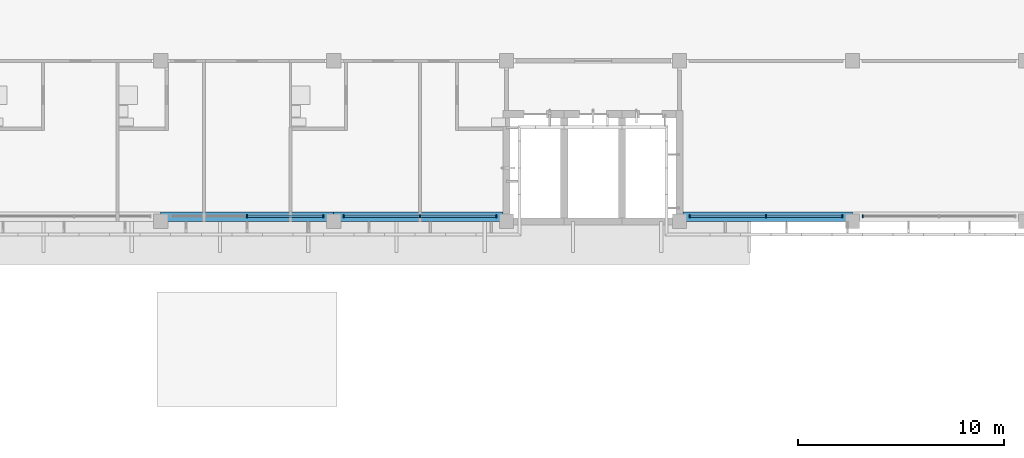
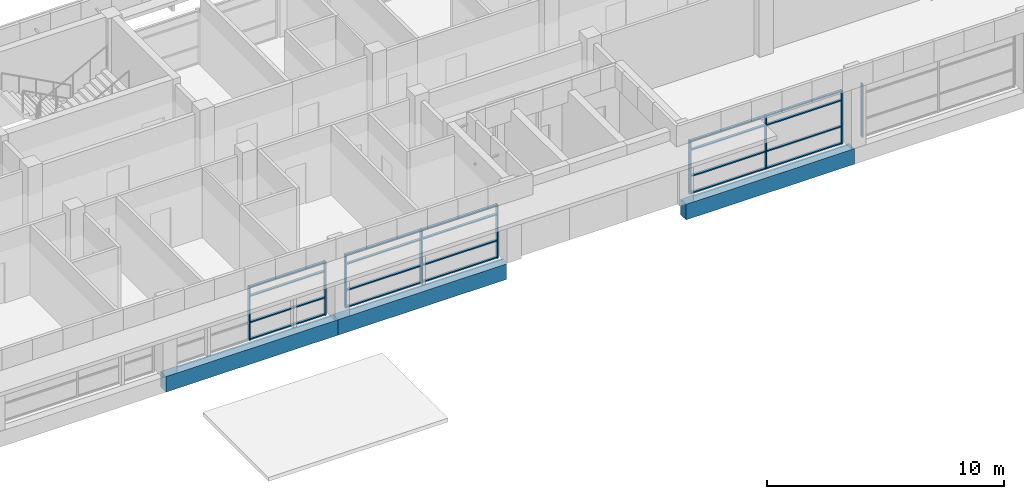
# One storey, part 7 of 36: 29 members, 3 beams, 4 elements without a shape of their own.
"""IFC4 building model written with IfcOpenShell, lengths in metres."""

import ifcopenshell
import ifcopenshell.guid

model = None  # the IFC model being written
_history = None  # IfcOwnerHistory: only IFC2X3 demands one
_inside = {}  # id of a spatial element -> (the spatial element, [elements in it])
_under = {}  # id of a project, library or spatial element -> (it, [spatial elements below it])
_declared = {}  # id of a project -> (the project, [libraries it declares])
_typed = {}  # id of a type object -> (the type object, [elements of that type])
_made_of = {}  # id of a material, layer set ... -> (it, [elements and type objects made of it])


def new_model(schema):
    """Start an empty IFC model of exactly this schema.

    Asked for "IFC4X3", IfcOpenShell would pick the latest addendum, in which some entities
    have other attributes; the version numbers below select the first issue.
    IFC2X3 requires an IfcOwnerHistory on every rooted entity: one is made here for all.
    """
    global model, _history
    if schema == "IFC4X3":
        model = ifcopenshell.file(schema_version=(4, 3, 0, 0))
    else:
        model = ifcopenshell.file(schema=schema)
    _inside.clear()
    _under.clear()
    _declared.clear()
    _typed.clear()
    _made_of.clear()
    _history = None
    if model.schema == "IFC2X3":
        org = make("IfcOrganization", Name="unknown")
        user = make(
            "IfcPersonAndOrganization",
            ThePerson=make("IfcPerson", FamilyName="unknown"),
            TheOrganization=org,
        )
        app = make(
            "IfcApplication",
            ApplicationDeveloper=org,
            Version="unknown",
            ApplicationFullName="unknown",
            ApplicationIdentifier="unknown",
        )
        _history = make(
            "IfcOwnerHistory",
            OwningUser=user,
            OwningApplication=app,
            ChangeAction="ADDED",
            CreationDate=0,
        )
    return model


def make(cls, **values):
    """One entity of the class cls with the attributes given. An attribute that is None is left unset."""
    return model.create_entity(
        cls, **{name: value for name, value in values.items() if value is not None}
    )


def rooted(cls, **values):
    """An entity with a GlobalId (a new one), such as an element, a storey or a relation."""
    return make(cls, GlobalId=ifcopenshell.guid.new(), OwnerHistory=_history, **values)


def si_unit(unit_type, name, prefix=None):
    """IfcSIUnit, for example si_unit("LENGTHUNIT", "METRE", prefix="MILLI")."""
    return make("IfcSIUnit", UnitType=unit_type, Prefix=prefix, Name=name)


def assignment(units):
    """IfcUnitAssignment: the units of a project."""
    return None if units is None else make("IfcUnitAssignment", Units=units)


def point(xyz):
    """IfcCartesianPoint."""
    return None if xyz is None else make("IfcCartesianPoint", Coordinates=xyz)


def direction(xyz):
    """IfcDirection."""
    return None if xyz is None else make("IfcDirection", DirectionRatios=xyz)


def frame(location, z_axis=None, x_axis=None):
    """IfcAxis2Placement3D, a coordinate frame: its origin and axes. An axis left out is left unset."""
    return make(
        "IfcAxis2Placement3D",
        Location=point(location),
        Axis=direction(z_axis),
        RefDirection=direction(x_axis),
    )


def frame_2d(location, x_axis=None):
    """IfcAxis2Placement2D, a coordinate frame in the plane: its origin and x axis."""
    return make(
        "IfcAxis2Placement2D", Location=point(location), RefDirection=direction(x_axis)
    )


def origin():
    """The frame at (0, 0, 0) with its axes left unset."""
    return frame((0.0, 0.0, 0.0))


def origin_2d():
    """The frame at (0, 0) in the plane with its x axis left unset."""
    return frame_2d((0.0, 0.0))


def place(relative_to, where):
    """IfcLocalPlacement: puts the frame where relative to a parent placement (None: the world)."""
    return make(
        "IfcLocalPlacement", PlacementRelTo=relative_to, RelativePlacement=where
    )


def context(
    kind, dimensions, precision=None, world=None, true_north=None, identifier=None
):
    """IfcGeometricRepresentationContext, for example the 3D "Model" context."""
    return make(
        "IfcGeometricRepresentationContext",
        ContextIdentifier=identifier,
        ContextType=kind,
        CoordinateSpaceDimension=dimensions,
        Precision=precision,
        WorldCoordinateSystem=world,
        TrueNorth=true_north,
    )


def subcontext(parent, identifier, kind, view, scale=None):
    """IfcGeometricRepresentationSubContext, for example "Body" below "Model"."""
    return make(
        "IfcGeometricRepresentationSubContext",
        ContextIdentifier=identifier,
        ContextType=kind,
        ParentContext=parent,
        TargetScale=scale,
        TargetView=view,
    )


def project(units=None, contexts=None):
    """IfcProject with its units and contexts."""
    return rooted(
        "IfcProject",
        Name="project",
        RepresentationContexts=contexts,
        UnitsInContext=assignment(units),
    )


def spatial(cls, under=None, at=None, **own):
    """A site, building, storey or space (cls), placed at a placement, below another one or the project."""
    s = rooted(cls, ObjectPlacement=at, **own)
    if under is not None:
        _under.setdefault(under.id(), (under, []))[1].append(s)
    return s


def profile(cls, at=None, kind="AREA", **sizes):
    """A parametric profile (cls). Its sizes go by their IFC names, for example OverallWidth=200.0."""
    return make(cls, ProfileType=kind, Position=at, **sizes)


def rectangle(**sizes):
    """IfcRectangleProfileDef."""
    return profile("IfcRectangleProfileDef", **sizes)


def extrude(swept, where, along, depth):
    """IfcExtrudedAreaSolid: the profile swept, set in the frame where, extruded along a direction by depth."""
    return make(
        "IfcExtrudedAreaSolid",
        SweptArea=swept,
        Position=where,
        ExtrudedDirection=direction(along),
        Depth=depth,
    )


def shape(context_of_items, identifier, shape_type, items):
    """IfcShapeRepresentation: the items that make up one representation, for example the "Body"."""
    return make(
        "IfcShapeRepresentation",
        ContextOfItems=context_of_items,
        RepresentationIdentifier=identifier,
        RepresentationType=shape_type,
        Items=items,
    )


def material(Name=None, Category=None):
    """IfcMaterial."""
    return make("IfcMaterial", Name=Name, Category=Category)


def material_profile(
    of_material, cross_section, Name=None, Category=None, Priority=None
):
    """IfcMaterialProfile: a cross section and its material."""
    return make(
        "IfcMaterialProfile",
        Name=Name,
        Material=of_material,
        Profile=cross_section,
        Priority=Priority,
        Category=Category,
    )


def profile_set(profiles, Name=None, composite=None):
    """IfcMaterialProfileSet."""
    return make(
        "IfcMaterialProfileSet",
        Name=Name,
        MaterialProfiles=profiles,
        CompositeProfile=composite,
    )


def made_of(thing, what):
    """Note that an element or type object is made of a material, layer set ...; save() writes the relation."""
    if what is not None:
        _made_of.setdefault(what.id(), (what, []))[1].append(thing)
    return thing


def type_object(cls, material=None, **own):
    """A type object (cls), such as IfcWallType, which elements share."""
    return made_of(rooted(cls, **own), material)


def element(
    cls,
    number,
    at=None,
    inside=None,
    cuts=None,
    type_object=None,
    material=None,
    context=None,
    identifier="Body",
    shape_type=None,
    held_by="IfcProductDefinitionShape",
    body=None,
    shapes=None,
    **own,
):
    """One element of the class cls, such as IfcWall. Its Tag is "e" and its number.

    at: its placement. inside: the storey or other place that contains it. cuts: it is an
    opening in that element (IfcRelVoidsElement). A single representation is given by context,
    identifier, shape_type and body (its items); several are given by shapes. held_by: the class
    of the entity that holds the representations. save() writes the other relations.
    """
    e = rooted(cls, Tag="e%d" % number, ObjectPlacement=at, **own)
    if body is not None:
        shapes = [shape(context, identifier, shape_type, body)]
    if shapes is not None:
        e.Representation = make(held_by, Representations=shapes)
    if inside is not None:
        _inside.setdefault(inside.id(), (inside, []))[1].append(e)
    if cuts is not None:
        rooted(
            "IfcRelVoidsElement", RelatingBuildingElement=cuts, RelatedOpeningElement=e
        )
    if type_object is not None:
        _typed.setdefault(type_object.id(), (type_object, []))[1].append(e)
    return made_of(e, material)


def aggregate(whole, parts):
    """IfcRelAggregates: a whole, such as a stair, and the parts it consists of."""
    return rooted("IfcRelAggregates", RelatingObject=whole, RelatedObjects=parts)


def save(model, path):
    """Write the relations noted so far, then the file.

    IfcRelAggregates (storeys below a building ...), IfcRelContainedInSpatialStructure (elements
    in a storey), IfcRelDefinesByType, IfcRelAssociatesMaterial and IfcRelDeclares: one each for
    every whole, place, type object, material and project.
    """
    for whole, parts in _under.values():
        aggregate(whole, parts)
    for where, things in _inside.values():
        rooted(
            "IfcRelContainedInSpatialStructure",
            RelatedElements=things,
            RelatingStructure=where,
        )
    for kind, things in _typed.values():
        rooted("IfcRelDefinesByType", RelatedObjects=things, RelatingType=kind)
    for what, things in _made_of.values():
        rooted("IfcRelAssociatesMaterial", RelatedObjects=things, RelatingMaterial=what)
    for by, libraries in _declared.values():
        rooted("IfcRelDeclares", RelatingContext=by, RelatedDefinitions=libraries)
    model.write(path)


model = new_model("IFC4")

# Units and contexts
model_context = context("Model", 3, precision=1e-05, world=origin(), true_north=direction((0.0, 1.0)))
body_context = subcontext(model_context, "Body", "Model", "MODEL_VIEW")
ifc_project = project(units=[si_unit("LENGTHUNIT", "METRE"), si_unit("AREAUNIT", "SQUARE_METRE"), si_unit("VOLUMEUNIT", "CUBIC_METRE"), si_unit("PLANEANGLEUNIT", "RADIAN"), si_unit("MASSUNIT", "GRAM", prefix="KILO")], contexts=[model_context])

# Site, building, storey
site_placement = place(None, origin())
site = spatial("IfcSite", under=ifc_project, at=site_placement, CompositionType="ELEMENT")
building_placement = place(site_placement, origin())
building = spatial("IfcBuilding", under=site, at=building_placement, Name="Bougainvillea Quay General Hospital", CompositionType="ELEMENT")
storey_placement = place(building_placement, frame((0.0, 0.0, 32.699951171875)))
storey = spatial("IfcBuildingStorey", under=building, at=storey_placement, Name="L07", CompositionType="ELEMENT", Elevation=32.699951171875)

# Curtain wall, members
ifc_material_1 = material(Name="Aluminium curtain wall system, powder-coated glazed", Category="aluminium")
curtain_wall_type = type_object("IfcCurtainWallType", Name="Unitised curtain wall CW-3730", PredefinedType="NOTDEFINED", material=ifc_material_1)
curtain_wall_1_placement = place(storey_placement, origin())
curtain_wall_1 = element("IfcCurtainWall", 1, at=curtain_wall_1_placement, inside=storey, type_object=curtain_wall_type, Name="CW-4200 07", PredefinedType="NOTDEFINED")
ifc_material_2 = material(Name="Aluminium mullion, powder-coated charcoal", Category="aluminium")
ifc_material_profile_1 = material_profile(ifc_material_2, rectangle(XDim=0.159912109375, YDim=0.06005859375, at=origin_2d()))
ifc_profile_set_1 = profile_set([ifc_material_profile_1], Name="Aluminium mullion, powder-coated charcoal")
member_type_1 = type_object("IfcMemberType", Name="Curtain wall mullion 160x60", PredefinedType="MULLION", material=ifc_profile_set_1)
member_1_placement = place(storey_placement, frame((138.60009765625, 140.64990234375, 0.0), z_axis=(0.0, 0.0, 1.0), x_axis=(0.0, 1.0, 0.0)))
member_1 = element("IfcMember", 2, at=member_1_placement, type_object=member_type_1, Name="CW-4200 mullion 2", PredefinedType="MULLION", context=body_context, shape_type="SweptSolid", body=[
    extrude(rectangle(XDim=0.159912109375, YDim=0.06005859375, at=origin_2d()), origin(), (0.0, 0.0, 1.0), 2.75),
])
member_2_placement = place(storey_placement, frame((142.300048828125, 140.64990234375, 0.0), z_axis=(0.0, 0.0, 1.0), x_axis=(0.0, 1.0, 0.0)))
member_2 = element("IfcMember", 3, at=member_2_placement, type_object=member_type_1, Name="CW-4200 mullion 3", PredefinedType="MULLION", context=body_context, shape_type="SweptSolid", body=[
    extrude(rectangle(XDim=0.159912109375, YDim=0.06005859375, at=origin_2d()), origin(), (0.0, 0.0, 1.0), 2.75),
])

curtain_wall_2_placement = place(storey_placement, origin())
curtain_wall_2 = element("IfcCurtainWall", 4, at=curtain_wall_2_placement, inside=storey, type_object=curtain_wall_type, Name="CW-4200 08", PredefinedType="NOTDEFINED")
member_3_placement = place(storey_placement, frame((143.300048828125, 140.64990234375, 0.0), z_axis=(0.0, 0.0, 1.0), x_axis=(0.0, 1.0, 0.0)))
member_3 = element("IfcMember", 5, at=member_3_placement, type_object=member_type_1, Name="CW-4200 mullion 1", PredefinedType="MULLION", context=body_context, shape_type="SweptSolid", body=[
    extrude(rectangle(XDim=0.159912109375, YDim=0.06005859375, at=origin_2d()), origin(), (0.0, 0.0, 1.0), 2.75),
])
member_4_placement = place(storey_placement, frame((147.0, 140.64990234375, 0.0), z_axis=(0.0, 0.0, 1.0), x_axis=(0.0, 1.0, 0.0)))
member_4 = element("IfcMember", 6, at=member_4_placement, type_object=member_type_1, Name="CW-4200 mullion 2", PredefinedType="MULLION", context=body_context, shape_type="SweptSolid", body=[
    extrude(rectangle(XDim=0.159912109375, YDim=0.06005859375, at=origin_2d()), origin(), (0.0, 0.0, 1.0), 2.75),
])
member_5_placement = place(storey_placement, frame((150.699951171875, 140.64990234375, 0.0), z_axis=(0.0, 0.0, 1.0), x_axis=(0.0, 1.0, 0.0)))
member_5 = element("IfcMember", 7, at=member_5_placement, type_object=member_type_1, Name="CW-4200 mullion 3", PredefinedType="MULLION", context=body_context, shape_type="SweptSolid", body=[
    extrude(rectangle(XDim=0.159912109375, YDim=0.06005859375, at=origin_2d()), origin(), (0.0, 0.0, 1.0), 2.75),
])

curtain_wall_3_placement = place(storey_placement, origin())
curtain_wall_3 = element("IfcCurtainWall", 8, at=curtain_wall_3_placement, inside=storey, type_object=curtain_wall_type, Name="CW-4200 00", PredefinedType="NOTDEFINED")
member_6_placement = place(storey_placement, frame((160.10009765625, 140.64990234375, 0.0), z_axis=(0.0, 0.0, 1.0), x_axis=(0.0, 1.0, 0.0)))
member_6 = element("IfcMember", 9, at=member_6_placement, type_object=member_type_1, Name="CW-4200 mullion 1", PredefinedType="MULLION", context=body_context, shape_type="SweptSolid", body=[
    extrude(rectangle(XDim=0.159912109375, YDim=0.06005859375, at=origin_2d()), origin(), (0.0, 0.0, 1.0), 2.75),
])
member_7_placement = place(storey_placement, frame((163.800048828125, 140.64990234375, 0.0), z_axis=(0.0, 0.0, 1.0), x_axis=(0.0, 1.0, 0.0)))
member_7 = element("IfcMember", 10, at=member_7_placement, type_object=member_type_1, Name="CW-4200 mullion 2", PredefinedType="MULLION", context=body_context, shape_type="SweptSolid", body=[
    extrude(rectangle(XDim=0.159912109375, YDim=0.06005859375, at=origin_2d()), origin(), (0.0, 0.0, 1.0), 2.75),
])
member_8_placement = place(storey_placement, frame((167.5, 140.64990234375, 0.0), z_axis=(0.0, 0.0, 1.0), x_axis=(0.0, 1.0, 0.0)))
member_8 = element("IfcMember", 11, at=member_8_placement, type_object=member_type_1, Name="CW-4200 mullion 3", PredefinedType="MULLION", context=body_context, shape_type="SweptSolid", body=[
    extrude(rectangle(XDim=0.159912109375, YDim=0.06005859375, at=origin_2d()), origin(), (0.0, 0.0, 1.0), 2.75),
])

# Curtain wall, member
curtain_wall_4_placement = place(storey_placement, origin())
curtain_wall_4 = element("IfcCurtainWall", 12, at=curtain_wall_4_placement, inside=storey, type_object=curtain_wall_type, Name="CW-4200 01", PredefinedType="NOTDEFINED")
member_9_placement = place(storey_placement, frame((168.5, 140.64990234375, 0.0), z_axis=(0.0, 0.0, 1.0), x_axis=(0.0, 1.0, 0.0)))
member_9 = element("IfcMember", 13, at=member_9_placement, type_object=member_type_1, Name="CW-4200 mullion 1", PredefinedType="MULLION", context=body_context, shape_type="SweptSolid", body=[
    extrude(rectangle(XDim=0.159912109375, YDim=0.06005859375, at=origin_2d()), origin(), (0.0, 0.0, 1.0), 2.75),
])
aggregate(curtain_wall_4, [member_9])

# Member
ifc_material_3 = material(Name="Aluminium transom, powder-coated charcoal", Category="aluminium")
ifc_material_profile_2 = material_profile(ifc_material_3, rectangle(XDim=0.1201171875, YDim=0.06005859375, at=origin_2d()))
ifc_profile_set_2 = profile_set([ifc_material_profile_2], Name="Aluminium transom, powder-coated charcoal")
member_type_2 = type_object("IfcMemberType", Name="Curtain wall transom 120x60", PredefinedType="USERDEFINED", material=ifc_profile_set_2)
member_10_placement = place(storey_placement, frame((138.6298828125, 140.64990234375, 0.030029296875), z_axis=(1.0, 0.0, 0.0), x_axis=(0.0, 1.0, 0.0)))
member_10 = element("IfcMember", 14, at=member_10_placement, type_object=member_type_2, Name="CW-4200 transom 2.1", ObjectType="TRANSOM", PredefinedType="USERDEFINED", context=body_context, shape_type="SweptSolid", body=[
    extrude(rectangle(XDim=0.1201171875, YDim=0.06005859375, at=origin_2d()), origin(), (0.0, 0.0, 1.0), 3.64013671875),
])

member_11_placement = place(storey_placement, frame((138.6298828125, 140.64990234375, 0.900146484375), z_axis=(1.0, 0.0, 0.0), x_axis=(0.0, 1.0, 0.0)))
member_11 = element("IfcMember", 15, at=member_11_placement, type_object=member_type_2, Name="CW-4200 transom 2.2", ObjectType="TRANSOM", PredefinedType="USERDEFINED", context=body_context, shape_type="SweptSolid", body=[
    extrude(rectangle(XDim=0.1201171875, YDim=0.06005859375, at=origin_2d()), origin(), (0.0, 0.0, 1.0), 3.64013671875),
])

member_12_placement = place(storey_placement, frame((138.6298828125, 140.64990234375, 2.25), z_axis=(1.0, 0.0, 0.0), x_axis=(0.0, 1.0, 0.0)))
member_12 = element("IfcMember", 16, at=member_12_placement, type_object=member_type_2, Name="CW-4200 transom 2.3", ObjectType="TRANSOM", PredefinedType="USERDEFINED", context=body_context, shape_type="SweptSolid", body=[
    extrude(rectangle(XDim=0.1201171875, YDim=0.06005859375, at=origin_2d()), origin(), (0.0, 0.0, 1.0), 3.64013671875),
])

member_13_placement = place(storey_placement, frame((138.6298828125, 140.64990234375, 2.719970703125), z_axis=(1.0, 0.0, 0.0), x_axis=(0.0, 1.0, 0.0)))
member_13 = element("IfcMember", 17, at=member_13_placement, type_object=member_type_2, Name="CW-4200 transom 2.4", ObjectType="TRANSOM", PredefinedType="USERDEFINED", context=body_context, shape_type="SweptSolid", body=[
    extrude(rectangle(XDim=0.1201171875, YDim=0.06005859375, at=origin_2d()), origin(), (0.0, 0.0, 1.0), 3.64013671875),
])

aggregate(curtain_wall_1, [member_1, member_2, member_10, member_11, member_12, member_13])

member_14_placement = place(storey_placement, frame((143.330078125, 140.64990234375, 0.030029296875), z_axis=(1.0, 0.0, 0.0), x_axis=(0.0, 1.0, 0.0)))
member_14 = element("IfcMember", 18, at=member_14_placement, type_object=member_type_2, Name="CW-4200 transom 1.1", ObjectType="TRANSOM", PredefinedType="USERDEFINED", context=body_context, shape_type="SweptSolid", body=[
    extrude(rectangle(XDim=0.1201171875, YDim=0.06005859375, at=origin_2d()), origin(), (0.0, 0.0, 1.0), 3.639892578125),
])

member_15_placement = place(storey_placement, frame((143.330078125, 140.64990234375, 0.900146484375), z_axis=(1.0, 0.0, 0.0), x_axis=(0.0, 1.0, 0.0)))
member_15 = element("IfcMember", 19, at=member_15_placement, type_object=member_type_2, Name="CW-4200 transom 1.2", ObjectType="TRANSOM", PredefinedType="USERDEFINED", context=body_context, shape_type="SweptSolid", body=[
    extrude(rectangle(XDim=0.1201171875, YDim=0.06005859375, at=origin_2d()), origin(), (0.0, 0.0, 1.0), 3.639892578125),
])

member_16_placement = place(storey_placement, frame((143.330078125, 140.64990234375, 2.25), z_axis=(1.0, 0.0, 0.0), x_axis=(0.0, 1.0, 0.0)))
member_16 = element("IfcMember", 20, at=member_16_placement, type_object=member_type_2, Name="CW-4200 transom 1.3", ObjectType="TRANSOM", PredefinedType="USERDEFINED", context=body_context, shape_type="SweptSolid", body=[
    extrude(rectangle(XDim=0.1201171875, YDim=0.06005859375, at=origin_2d()), origin(), (0.0, 0.0, 1.0), 3.639892578125),
])

member_17_placement = place(storey_placement, frame((143.330078125, 140.64990234375, 2.719970703125), z_axis=(1.0, 0.0, 0.0), x_axis=(0.0, 1.0, 0.0)))
member_17 = element("IfcMember", 21, at=member_17_placement, type_object=member_type_2, Name="CW-4200 transom 1.4", ObjectType="TRANSOM", PredefinedType="USERDEFINED", context=body_context, shape_type="SweptSolid", body=[
    extrude(rectangle(XDim=0.1201171875, YDim=0.06005859375, at=origin_2d()), origin(), (0.0, 0.0, 1.0), 3.639892578125),
])

member_18_placement = place(storey_placement, frame((147.030029296875, 140.64990234375, 0.030029296875), z_axis=(1.0, 0.0, 0.0), x_axis=(0.0, 1.0, 0.0)))
member_18 = element("IfcMember", 22, at=member_18_placement, type_object=member_type_2, Name="CW-4200 transom 2.1", ObjectType="TRANSOM", PredefinedType="USERDEFINED", context=body_context, shape_type="SweptSolid", body=[
    extrude(rectangle(XDim=0.1201171875, YDim=0.06005859375, at=origin_2d()), origin(), (0.0, 0.0, 1.0), 3.639892578125),
])

member_19_placement = place(storey_placement, frame((147.030029296875, 140.64990234375, 0.900146484375), z_axis=(1.0, 0.0, 0.0), x_axis=(0.0, 1.0, 0.0)))
member_19 = element("IfcMember", 23, at=member_19_placement, type_object=member_type_2, Name="CW-4200 transom 2.2", ObjectType="TRANSOM", PredefinedType="USERDEFINED", context=body_context, shape_type="SweptSolid", body=[
    extrude(rectangle(XDim=0.1201171875, YDim=0.06005859375, at=origin_2d()), origin(), (0.0, 0.0, 1.0), 3.639892578125),
])

member_20_placement = place(storey_placement, frame((147.030029296875, 140.64990234375, 2.25), z_axis=(1.0, 0.0, 0.0), x_axis=(0.0, 1.0, 0.0)))
member_20 = element("IfcMember", 24, at=member_20_placement, type_object=member_type_2, Name="CW-4200 transom 2.3", ObjectType="TRANSOM", PredefinedType="USERDEFINED", context=body_context, shape_type="SweptSolid", body=[
    extrude(rectangle(XDim=0.1201171875, YDim=0.06005859375, at=origin_2d()), origin(), (0.0, 0.0, 1.0), 3.639892578125),
])

member_21_placement = place(storey_placement, frame((147.030029296875, 140.64990234375, 2.719970703125), z_axis=(1.0, 0.0, 0.0), x_axis=(0.0, 1.0, 0.0)))
member_21 = element("IfcMember", 25, at=member_21_placement, type_object=member_type_2, Name="CW-4200 transom 2.4", ObjectType="TRANSOM", PredefinedType="USERDEFINED", context=body_context, shape_type="SweptSolid", body=[
    extrude(rectangle(XDim=0.1201171875, YDim=0.06005859375, at=origin_2d()), origin(), (0.0, 0.0, 1.0), 3.639892578125),
])

aggregate(curtain_wall_2, [member_3, member_4, member_5, member_14, member_15, member_16, member_17, member_18, member_19, member_20, member_21])

member_22_placement = place(storey_placement, frame((160.1298828125, 140.64990234375, 0.030029296875), z_axis=(1.0, 0.0, 0.0), x_axis=(0.0, 1.0, 0.0)))
member_22 = element("IfcMember", 26, at=member_22_placement, type_object=member_type_2, Name="CW-4200 transom 1.1", ObjectType="TRANSOM", PredefinedType="USERDEFINED", context=body_context, shape_type="SweptSolid", body=[
    extrude(rectangle(XDim=0.1201171875, YDim=0.06005859375, at=origin_2d()), origin(), (0.0, 0.0, 1.0), 3.64013671875),
])

member_23_placement = place(storey_placement, frame((160.1298828125, 140.64990234375, 0.900146484375), z_axis=(1.0, 0.0, 0.0), x_axis=(0.0, 1.0, 0.0)))
member_23 = element("IfcMember", 27, at=member_23_placement, type_object=member_type_2, Name="CW-4200 transom 1.2", ObjectType="TRANSOM", PredefinedType="USERDEFINED", context=body_context, shape_type="SweptSolid", body=[
    extrude(rectangle(XDim=0.1201171875, YDim=0.06005859375, at=origin_2d()), origin(), (0.0, 0.0, 1.0), 3.64013671875),
])

member_24_placement = place(storey_placement, frame((160.1298828125, 140.64990234375, 2.25), z_axis=(1.0, 0.0, 0.0), x_axis=(0.0, 1.0, 0.0)))
member_24 = element("IfcMember", 28, at=member_24_placement, type_object=member_type_2, Name="CW-4200 transom 1.3", ObjectType="TRANSOM", PredefinedType="USERDEFINED", context=body_context, shape_type="SweptSolid", body=[
    extrude(rectangle(XDim=0.1201171875, YDim=0.06005859375, at=origin_2d()), origin(), (0.0, 0.0, 1.0), 3.64013671875),
])

member_25_placement = place(storey_placement, frame((160.1298828125, 140.64990234375, 2.719970703125), z_axis=(1.0, 0.0, 0.0), x_axis=(0.0, 1.0, 0.0)))
member_25 = element("IfcMember", 29, at=member_25_placement, type_object=member_type_2, Name="CW-4200 transom 1.4", ObjectType="TRANSOM", PredefinedType="USERDEFINED", context=body_context, shape_type="SweptSolid", body=[
    extrude(rectangle(XDim=0.1201171875, YDim=0.06005859375, at=origin_2d()), origin(), (0.0, 0.0, 1.0), 3.64013671875),
])

member_26_placement = place(storey_placement, frame((163.830078125, 140.64990234375, 0.030029296875), z_axis=(1.0, 0.0, 0.0), x_axis=(0.0, 1.0, 0.0)))
member_26 = element("IfcMember", 30, at=member_26_placement, type_object=member_type_2, Name="CW-4200 transom 2.1", ObjectType="TRANSOM", PredefinedType="USERDEFINED", context=body_context, shape_type="SweptSolid", body=[
    extrude(rectangle(XDim=0.1201171875, YDim=0.06005859375, at=origin_2d()), origin(), (0.0, 0.0, 1.0), 3.639892578125),
])

member_27_placement = place(storey_placement, frame((163.830078125, 140.64990234375, 0.900146484375), z_axis=(1.0, 0.0, 0.0), x_axis=(0.0, 1.0, 0.0)))
member_27 = element("IfcMember", 31, at=member_27_placement, type_object=member_type_2, Name="CW-4200 transom 2.2", ObjectType="TRANSOM", PredefinedType="USERDEFINED", context=body_context, shape_type="SweptSolid", body=[
    extrude(rectangle(XDim=0.1201171875, YDim=0.06005859375, at=origin_2d()), origin(), (0.0, 0.0, 1.0), 3.639892578125),
])

member_28_placement = place(storey_placement, frame((163.830078125, 140.64990234375, 2.25), z_axis=(1.0, 0.0, 0.0), x_axis=(0.0, 1.0, 0.0)))
member_28 = element("IfcMember", 32, at=member_28_placement, type_object=member_type_2, Name="CW-4200 transom 2.3", ObjectType="TRANSOM", PredefinedType="USERDEFINED", context=body_context, shape_type="SweptSolid", body=[
    extrude(rectangle(XDim=0.1201171875, YDim=0.06005859375, at=origin_2d()), origin(), (0.0, 0.0, 1.0), 3.639892578125),
])

member_29_placement = place(storey_placement, frame((163.830078125, 140.64990234375, 2.719970703125), z_axis=(1.0, 0.0, 0.0), x_axis=(0.0, 1.0, 0.0)))
member_29 = element("IfcMember", 33, at=member_29_placement, type_object=member_type_2, Name="CW-4200 transom 2.4", ObjectType="TRANSOM", PredefinedType="USERDEFINED", context=body_context, shape_type="SweptSolid", body=[
    extrude(rectangle(XDim=0.1201171875, YDim=0.06005859375, at=origin_2d()), origin(), (0.0, 0.0, 1.0), 3.639892578125),
])

aggregate(curtain_wall_3, [member_6, member_7, member_8, member_22, member_23, member_24, member_25, member_26, member_27, member_28, member_29])

# Beams
ifc_material_4 = material(Name="Concrete C40", Category="concrete")
ifc_material_profile_3 = material_profile(ifc_material_4, rectangle(XDim=0.449951171875, YDim=0.800048828125, at=origin_2d()))
ifc_profile_set_3 = profile_set([ifc_material_profile_3], Name="Concrete C40")
beam_type = type_object("IfcBeamType", Name="RC BEAM 450x800 C40", PredefinedType="BEAM", material=ifc_profile_set_3)
beam_1_placement = place(storey_placement, frame((134.39990234375, 140.625, -0.699951171875), z_axis=(1.0, 0.0, 0.0), x_axis=(0.0, 1.0, 0.0)))
element("IfcBeam", 34, at=beam_1_placement, inside=storey, type_object=beam_type, Name="Edge beam L07", PredefinedType="BEAM", context=body_context, shape_type="SweptSolid", body=[
    extrude(rectangle(XDim=0.449951171875, YDim=0.800048828125, at=origin_2d()), origin(), (0.0, 0.0, 1.0), 8.400146484375),
])
beam_2_placement = place(storey_placement, frame((142.800048828125, 140.625, -0.699951171875), z_axis=(1.0, 0.0, 0.0), x_axis=(0.0, 1.0, 0.0)))
element("IfcBeam", 35, at=beam_2_placement, inside=storey, type_object=beam_type, Name="Edge beam L07", PredefinedType="BEAM", context=body_context, shape_type="SweptSolid", body=[
    extrude(rectangle(XDim=0.449951171875, YDim=0.800048828125, at=origin_2d()), origin(), (0.0, 0.0, 1.0), 8.224853515625),
])
beam_3_placement = place(storey_placement, frame((159.77490234375, 140.625, -0.699951171875), z_axis=(1.0, 0.0, 0.0), x_axis=(0.0, 1.0, 0.0)))
element("IfcBeam", 36, at=beam_3_placement, inside=storey, type_object=beam_type, Name="Edge beam L07", PredefinedType="BEAM", context=body_context, shape_type="SweptSolid", body=[
    extrude(rectangle(XDim=0.449951171875, YDim=0.800048828125, at=origin_2d()), origin(), (0.0, 0.0, 1.0), 8.22509765625),
])

save(model, "model.ifc")
